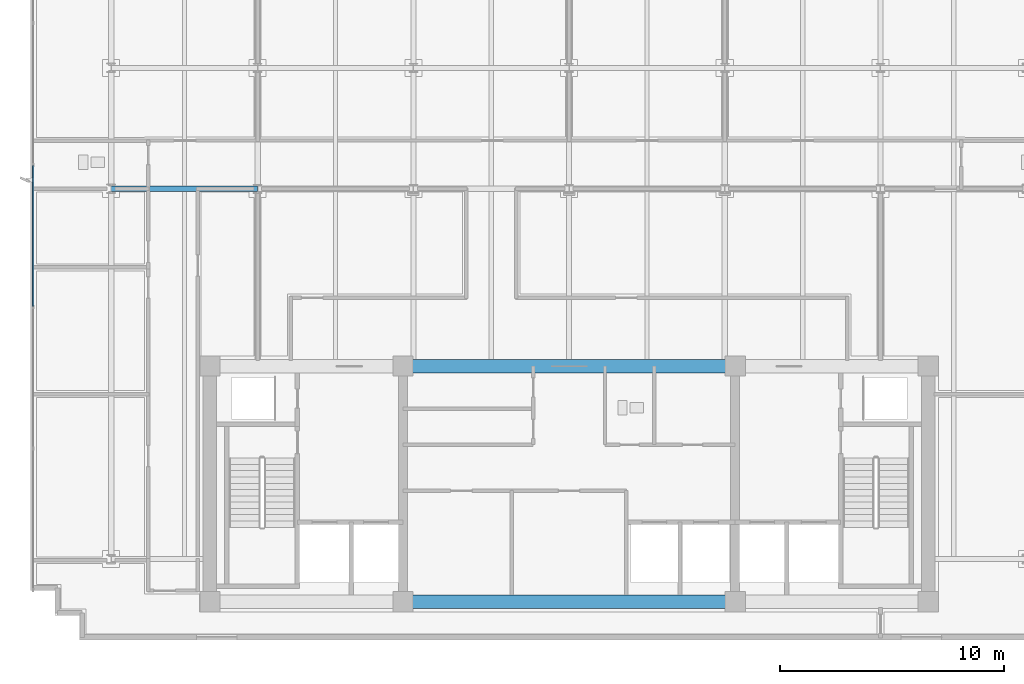
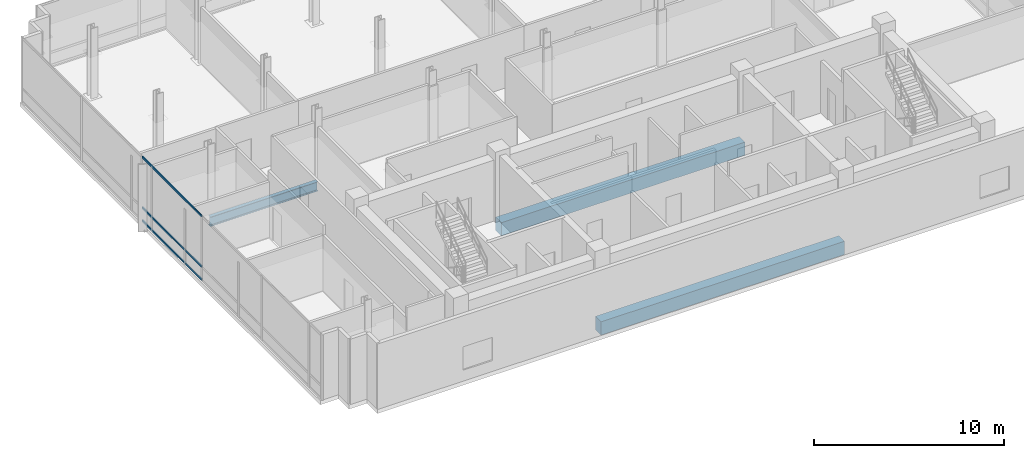
# One storey, part 3 of 17: 3 beams, 3 members, 1 element without a shape of its own.
"""IFC4 building model written with IfcOpenShell, lengths in metres."""

from ifc_helpers import new_model, si_unit, direction, frame, origin, origin_2d, place, context, subcontext, project, spatial, rectangle, i_section, extrude, material, material_profile, profile_set, type_object, element, aggregate, save


model = new_model("IFC4")

# Units and contexts
model_context = context("Model", 3, precision=1e-05, world=origin(), true_north=direction((0.0, 1.0)))
body_context = subcontext(model_context, "Body", "Model", "MODEL_VIEW")
ifc_project = project(units=[si_unit("LENGTHUNIT", "METRE"), si_unit("AREAUNIT", "SQUARE_METRE"), si_unit("VOLUMEUNIT", "CUBIC_METRE"), si_unit("PLANEANGLEUNIT", "RADIAN"), si_unit("MASSUNIT", "GRAM", prefix="KILO")], contexts=[model_context])

# Site, building, storey
site_placement = place(None, origin())
site = spatial("IfcSite", under=ifc_project, at=site_placement, CompositionType="ELEMENT")
building_placement = place(site_placement, origin())
building = spatial("IfcBuilding", under=site, at=building_placement, Name="Solmavex Isthmus Hotel", CompositionType="ELEMENT")
storey_placement = place(building_placement, frame((0.0, 0.0, 286.800048828125)))
storey = spatial("IfcBuildingStorey", under=building, at=storey_placement, Name="L78", CompositionType="ELEMENT", Elevation=286.800048828125)

# Beams
ifc_material_1 = material(Name="Steel ASTM A992 Grade 50", Category="steel")
ifc_material_profile_1 = material_profile(ifc_material_1, i_section(OverallWidth=0.227783203125, OverallDepth=0.602783203125, WebThickness=0.010498046875, FlangeThickness=0.014892578125, FilletRadius=0.01513671875, at=origin_2d()), Name="W24X68")
ifc_profile_set_1 = profile_set([ifc_material_profile_1], Name="Steel ASTM A992 Grade 50")
beam_type_1 = type_object("IfcBeamType", Name="BM-BM-W24X68", PredefinedType="BEAM", material=ifc_profile_set_1)
beam_placement = place(storey_placement, frame((-20.39990234375, 5.39990234375, -0.561279296875), z_axis=(1.0, 0.0, 0.0), x_axis=(0.0, 1.0, 0.0)))
element("IfcBeam", 1, at=beam_placement, inside=storey, type_object=beam_type_1, Name="Floor Girder L78-UG03", PredefinedType="BEAM", context=body_context, shape_type="SweptSolid", body=[
    extrude(i_section(OverallWidth=0.227783203125, OverallDepth=0.602783203125, WebThickness=0.010498046875, FlangeThickness=0.014892578125, FilletRadius=0.01513671875, at=origin_2d()), origin(), (0.0, 0.0, 1.0), 6.52783203125),
])
ifc_material_2 = material(Name="Concrete C50/60", Category="concrete")
ifc_material_profile_2 = material_profile(ifc_material_2, rectangle(XDim=0.60009765625, YDim=0.85009765625, at=origin_2d()), Name="RC600X850")
ifc_profile_set_2 = profile_set([ifc_material_profile_2], Name="Concrete C50/60")
beam_type_2 = type_object("IfcBeamType", Name="BM-CB-600X850", PredefinedType="BEAM", material=ifc_profile_set_2)
for number, where, z_axis, x_axis, name in (
    (2, (-7.39990234375, -13.0, -0.68505859375), (1.0, 0.0, 0.0), (0.0, 1.0, 0.0), "Core Coupling Beam L78-CB2"),
    (3, (-7.39990234375, -2.5, -0.68505859375), (1.0, 0.0, 0.0), (0.0, 1.0, 0.0), "Core Coupling Beam L78-CB5"),
):
    element("IfcBeam", number, at=place(storey_placement, frame(where, z_axis=z_axis, x_axis=x_axis)), inside=storey, type_object=beam_type_2, Name=name, PredefinedType="BEAM", context=body_context, shape_type="SweptSolid", body=[
        extrude(rectangle(XDim=0.60009765625, YDim=0.85009765625, at=origin_2d()), origin(), (0.0, 0.0, 1.0), 14.7998046875),
    ])

# Curtain wall, members
ifc_material_3 = material(Name="Aluminium alloy 6063-T6", Category="aluminium")
curtain_wall_type = type_object("IfcCurtainWallType", Name="CW-SYS-05", PredefinedType="NOTDEFINED", material=ifc_material_3)
curtain_wall_placement = place(storey_placement, origin())
curtain_wall = element("IfcCurtainWall", 4, at=curtain_wall_placement, inside=storey, type_object=curtain_wall_type, Name="Stick Curtain Wall CWL-L78-W1", PredefinedType="NOTDEFINED")
ifc_material_profile_3 = material_profile(ifc_material_3, rectangle(XDim=0.06494140625, YDim=0.125, at=origin_2d()), Name="CWT-65X125")
ifc_profile_set_3 = profile_set([ifc_material_profile_3], Name="Aluminium alloy 6063-T6")
member_type = type_object("IfcMemberType", Name="CW-SYS-05-TRN", PredefinedType="USERDEFINED", material=ifc_profile_set_3)
member_1_placement = place(storey_placement, frame((-23.8798828125, 0.172607421875, 0.0625), z_axis=(0.0, 1.0, 0.0), x_axis=(-1.0, 0.0, 0.0)))
member_1 = element("IfcMember", 5, at=member_1_placement, type_object=member_type, Name="CW-05 transom 3.1", ObjectType="TRANSOM", PredefinedType="USERDEFINED", context=body_context, shape_type="SweptSolid", body=[
    extrude(rectangle(XDim=0.06494140625, YDim=0.125, at=origin_2d()), origin(), (0.0, 0.0, 1.0), 6.2548828125),
])
member_2_placement = place(storey_placement, frame((-23.8798828125, 0.172607421875, 0.89990234375), z_axis=(0.0, 1.0, 0.0), x_axis=(-1.0, 0.0, 0.0)))
member_2 = element("IfcMember", 6, at=member_2_placement, type_object=member_type, Name="CW-05 transom 3.2", ObjectType="TRANSOM", PredefinedType="USERDEFINED", context=body_context, shape_type="SweptSolid", body=[
    extrude(rectangle(XDim=0.06494140625, YDim=0.125, at=origin_2d()), origin(), (0.0, 0.0, 1.0), 6.2548828125),
])
member_3_placement = place(storey_placement, frame((-23.8798828125, 0.172607421875, 4.137451171875), z_axis=(0.0, 1.0, 0.0), x_axis=(-1.0, 0.0, 0.0)))
member_3 = element("IfcMember", 7, at=member_3_placement, type_object=member_type, Name="CW-05 transom 3.3", ObjectType="TRANSOM", PredefinedType="USERDEFINED", context=body_context, shape_type="SweptSolid", body=[
    extrude(rectangle(XDim=0.06494140625, YDim=0.125, at=origin_2d()), origin(), (0.0, 0.0, 1.0), 6.2548828125),
])
aggregate(curtain_wall, [member_1, member_2, member_3])

save(model, "model.ifc")
